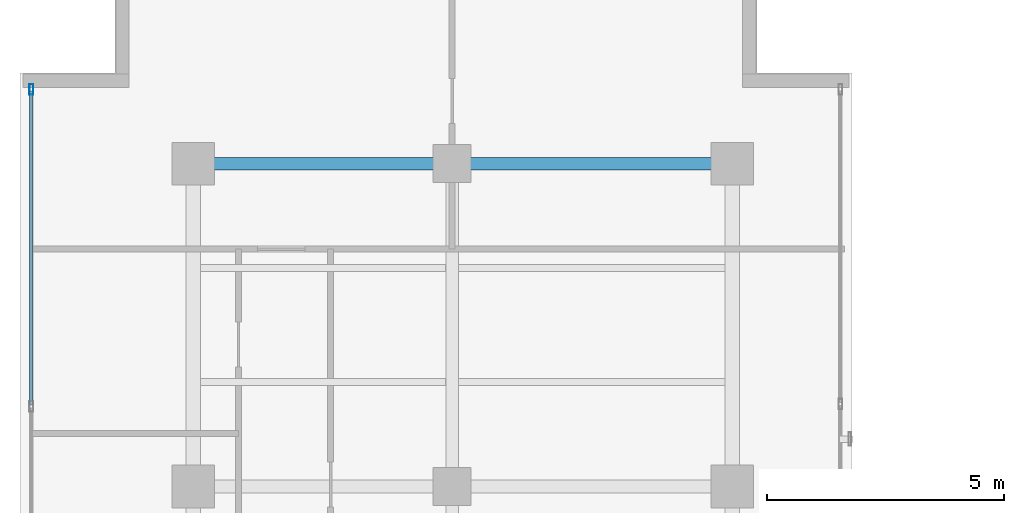
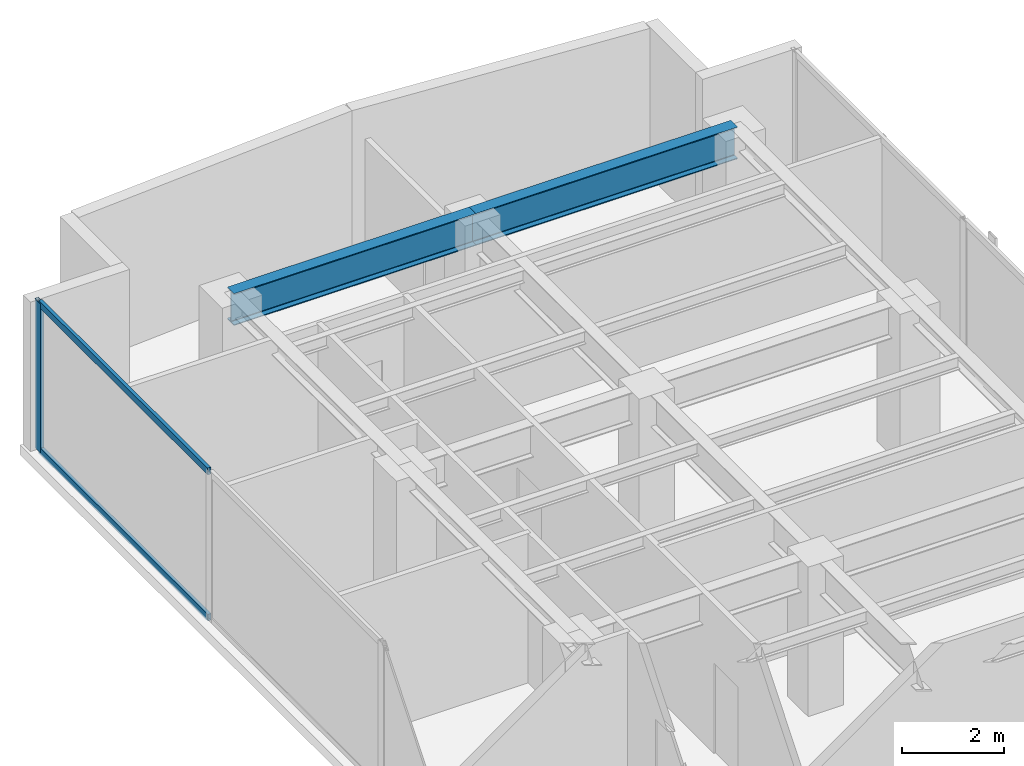
# One storey, part 14 of 24: 3 members, 2 beams, 1 element without a shape of its own.
"""IFC4 building model written with IfcOpenShell, lengths in metres."""

from ifc_helpers import new_model, si_unit, direction, frame, origin, origin_with_axes, origin_2d, place, context, subcontext, project, spatial, hollow_rectangle, i_section, extrude, source, transform, mapped, material, layer, layer_set, material_profile, profile_set, type_object, element, aggregate, save


model = new_model("IFC4")

# Units and contexts
model_context = context("Model", 3, precision=1e-05, world=origin(), true_north=direction((0.0, 1.0)))
body_context = subcontext(model_context, "Body", "Model", "MODEL_VIEW")
ifc_project = project(units=[si_unit("LENGTHUNIT", "METRE"), si_unit("AREAUNIT", "SQUARE_METRE"), si_unit("VOLUMEUNIT", "CUBIC_METRE"), si_unit("PLANEANGLEUNIT", "RADIAN"), si_unit("MASSUNIT", "GRAM", prefix="KILO")], contexts=[model_context])

# Site, building, storey
site_placement = place(None, origin())
site = spatial("IfcSite", under=ifc_project, at=site_placement, CompositionType="ELEMENT")
building_placement = place(site_placement, origin())
building = spatial("IfcBuilding", under=site, at=building_placement, Name="Kolvaren Waterfront Exchange", CompositionType="ELEMENT")
storey_placement = place(building_placement, frame((0.0, 0.0, 293.199951171875)))
storey = spatial("IfcBuildingStorey", under=building, at=storey_placement, Name="L75", CompositionType="ELEMENT", Elevation=293.199951171875)

# Beams
ifc_material_1 = material(Name="Steel S355", Category="steel")
ifc_material_profile_1 = material_profile(ifc_material_1, i_section(OverallWidth=0.26708984375, OverallDepth=0.761962890625, WebThickness=0.014404296875, FlangeThickness=0.021484375, FilletRadius=0.01708984375, at=origin_2d()), Name="IPE750x173")
ifc_profile_set_1 = profile_set([ifc_material_profile_1], Name="Steel S355")
beam_type = type_object("IfcBeamType", Name="STR-BM-IPE750", PredefinedType="BEAM", material=ifc_profile_set_1)
beam_1_placement = place(storey_placement, frame((7.449951171875, 44.60009765625, 3.178955078125), z_axis=(1.0, 0.0, 0.0), x_axis=(0.0, 1.0, 0.0)))
element("IfcBeam", 1, at=beam_1_placement, inside=storey, type_object=beam_type, Name="L75 north-arm girder 4A", PredefinedType="BEAM", context=body_context, shape_type="SweptSolid", body=[
    extrude(i_section(OverallWidth=0.26708984375, OverallDepth=0.761962890625, WebThickness=0.014404296875, FlangeThickness=0.021484375, FilletRadius=0.01708984375, at=origin_2d()), origin(), (0.0, 0.0, 1.0), 5.449951171875),
])
beam_2_placement = place(storey_placement, frame((12.89990234375, 44.60009765625, 3.178955078125), z_axis=(1.0, 0.0, 0.0), x_axis=(0.0, 1.0, 0.0)))
element("IfcBeam", 2, at=beam_2_placement, inside=storey, type_object=beam_type, Name="L75 north-arm girder 4B", PredefinedType="BEAM", context=body_context, shape_type="SweptSolid", body=[
    extrude(i_section(OverallWidth=0.26708984375, OverallDepth=0.761962890625, WebThickness=0.014404296875, FlangeThickness=0.021484375, FilletRadius=0.01708984375, at=origin_2d()), origin(), (0.0, 0.0, 1.0), 5.900146484375),
])

# Curtain wall, members
ifc_material_2 = material(Name="Anodised aluminium 6063-T6", Category="aluminium")
ifc_layer = layer(ifc_material_2, 0.219970703125, Name="Anodised aluminium 6063-T6")
ifc_layer_set = layer_set([ifc_layer], Name="Anodised aluminium 6063-T6")
curtain_wall_type = type_object("IfcCurtainWallType", Name="ARC-CW-SYS2", PredefinedType="USERDEFINED", material=ifc_layer_set)
curtain_wall_placement = place(storey_placement, origin())
curtain_wall = element("IfcCurtainWall", 3, at=curtain_wall_placement, inside=storey, type_object=curtain_wall_type, Name="L75 stick curtain wall CW2 (CW-L75-W)", ObjectType="STICK CURTAIN WALL", PredefinedType="USERDEFINED")
ifc_material_profile_2 = material_profile(ifc_material_2, hollow_rectangle(XDim=0.080078125, YDim=0.219970703125, WallThickness=0.0048828125, at=origin_2d()), Name="ALU-MUL-220x80x5")
ifc_profile_set_2 = profile_set([ifc_material_profile_2], Name="Anodised aluminium 6063-T6")
member_type_1 = type_object("IfcMemberType", Name="ARC-CWM-220", PredefinedType="MULLION", material=ifc_profile_set_2)
shared_shape_1 = source(origin_with_axes(), body_context, "Body", "SweptSolid", [
    extrude(hollow_rectangle(XDim=0.080078125, YDim=0.219970703125, WallThickness=0.0048828125, at=origin_2d()), origin(), (0.0, 0.0, 1.0), 3.56005859375),
])
member_1_placement = place(storey_placement, frame((4.0400390625, 46.165283203125, 0.0), z_axis=(0.0, 0.0, 1.0), x_axis=(-1.0, 0.0, 0.0)))
member_1 = element("IfcMember", 4, at=member_1_placement, type_object=member_type_1, Name="CW2 mullion 7", PredefinedType="MULLION", context=body_context, shape_type="MappedRepresentation", body=[
    mapped(shared_shape_1, transform((0.0, 0.0, 0.0), x_axis=(1.0, 0.0, 0.0), y_axis=(0.0, 1.0, 0.0), z_axis=(0.0, 0.0, 1.0), scale=1.0)),
])
ifc_material_profile_3 = material_profile(ifc_material_2, hollow_rectangle(XDim=0.074951171875, YDim=0.159912109375, WallThickness=0.00439453125, at=origin_2d()), Name="ALU-TRN-160x75x4.5")
ifc_profile_set_3 = profile_set([ifc_material_profile_3], Name="Anodised aluminium 6063-T6")
member_type_2 = type_object("IfcMemberType", Name="ARC-CWT-160", PredefinedType="USERDEFINED", material=ifc_profile_set_3)
shared_shape_2 = source(origin_with_axes(), body_context, "Body", "SweptSolid", [
    extrude(hollow_rectangle(XDim=0.074951171875, YDim=0.159912109375, WallThickness=0.00439453125, at=origin_2d()), origin(), (0.0, 0.0, 1.0), 6.597412109375),
])
member_2_placement = place(storey_placement, frame((4.0400390625, 39.52783203125, 0.03759765625), z_axis=(0.0, 1.0, 0.0), x_axis=(-1.0, 0.0, 0.0)))
member_2 = element("IfcMember", 5, at=member_2_placement, type_object=member_type_2, Name="CW2 transom 6.1", ObjectType="TRANSOM", PredefinedType="USERDEFINED", context=body_context, shape_type="MappedRepresentation", body=[
    mapped(shared_shape_2, transform((0.0, 0.0, 0.0), x_axis=(1.0, 0.0, 0.0), y_axis=(0.0, 1.0, 0.0), z_axis=(0.0, 0.0, 1.0), scale=1.0)),
])
member_3_placement = place(storey_placement, frame((4.0400390625, 39.52783203125, 3.5224609375), z_axis=(0.0, 1.0, 0.0), x_axis=(-1.0, 0.0, 0.0)))
member_3 = element("IfcMember", 6, at=member_3_placement, type_object=member_type_2, Name="CW2 transom 6.2", ObjectType="TRANSOM", PredefinedType="USERDEFINED", context=body_context, shape_type="MappedRepresentation", body=[
    mapped(shared_shape_2, transform((0.0, 0.0, 0.0), x_axis=(1.0, 0.0, 0.0), y_axis=(0.0, 1.0, 0.0), z_axis=(0.0, 0.0, 1.0), scale=1.0)),
])
aggregate(curtain_wall, [member_1, member_2, member_3])

save(model, "model.ifc")
